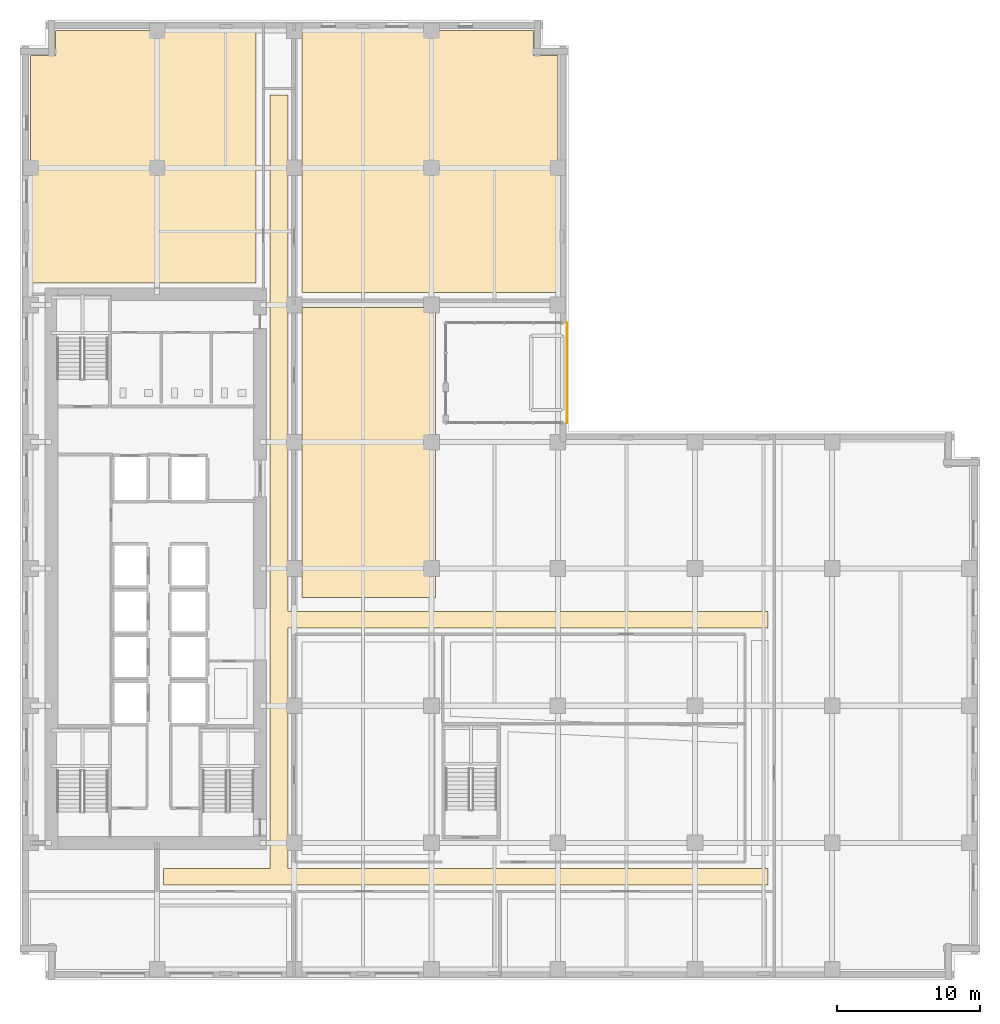
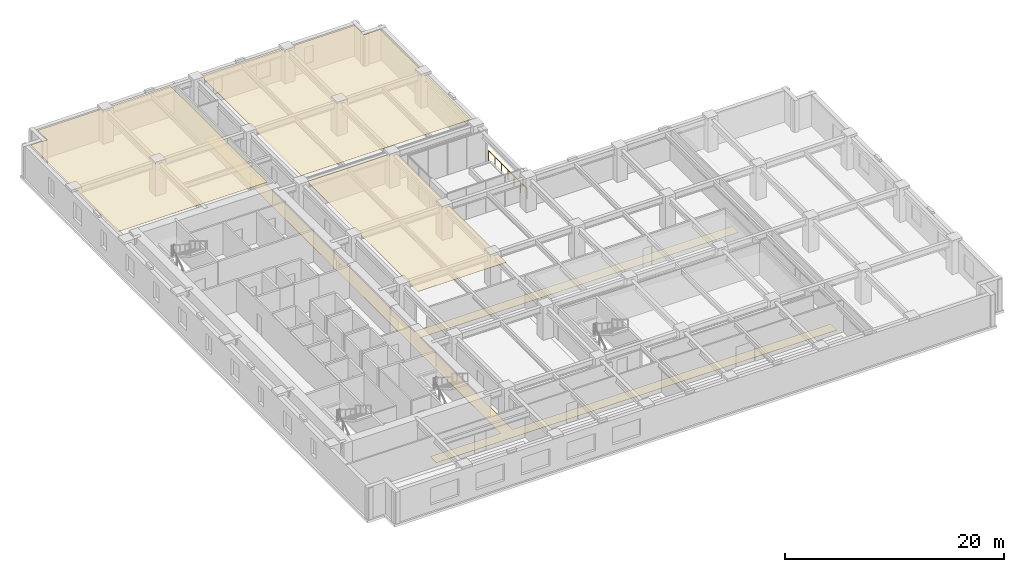
# One storey, part 15 of 16: 4 coverings, 1 railing.
"""IFC4 building model written with IfcOpenShell, lengths in metres."""

from ifc_helpers import new_model, si_unit, direction, frame, origin, origin_2d, place, context, subcontext, project, spatial, polyline, circle, outline, extrude, material, layer, layer_set, type_object, element, save


model = new_model("IFC4")

# Units and contexts
model_context = context("Model", 3, precision=1e-05, world=origin(), true_north=direction((0.0, 1.0)))
body_context = subcontext(model_context, "Body", "Model", "MODEL_VIEW")
ifc_project = project(units=[si_unit("LENGTHUNIT", "METRE"), si_unit("AREAUNIT", "SQUARE_METRE"), si_unit("VOLUMEUNIT", "CUBIC_METRE"), si_unit("PLANEANGLEUNIT", "RADIAN"), si_unit("MASSUNIT", "GRAM", prefix="KILO")], contexts=[model_context])

# Site, building, storey
site_placement = place(None, origin())
site = spatial("IfcSite", under=ifc_project, at=site_placement, CompositionType="ELEMENT")
building_placement = place(site_placement, origin())
building = spatial("IfcBuilding", under=site, at=building_placement, Name="Norrvale University Quadrangle", CompositionType="ELEMENT")
storey_placement = place(building_placement, frame((0.0, 0.0, 58.39990234375)))
storey = spatial("IfcBuildingStorey", under=building, at=storey_placement, Name="L14", CompositionType="ELEMENT", Elevation=58.39990234375)

# Coverings
ifc_material_1 = material(Name="Perforated Acoustic Mineral Ceiling")
ifc_layer_1 = layer(ifc_material_1, 0.02490234375, Name="Perforated Acoustic Mineral Ceiling")
ifc_layer_set_1 = layer_set([ifc_layer_1], Name="Perforated Acoustic Mineral Ceiling")
covering_type_1 = type_object("IfcCoveringType", Name="Covering Acoustic Ceiling 25", PredefinedType="CEILING", material=ifc_layer_set_1)
covering_1_placement = place(storey_placement, frame((0.0, 0.0, 3.51513671875)))
element("IfcCovering", 1, at=covering_1_placement, inside=storey, type_object=covering_type_1, Name="Acoustic Ceiling RM-L14-MNE01", PredefinedType="CEILING", context=body_context, shape_type="SweptSolid", body=[
    extrude(outline(polyline([(19.72998046875, 47.070068359375), (29.090087890625, 47.070068359375), (29.090087890625, 26.780029296875), (19.72998046875, 26.780029296875), (19.72998046875, 47.070068359375)])), origin(), (0.0, 0.0, 1.0), 0.02490234375),
])
covering_2_placement = place(storey_placement, frame((0.0, 0.0, 3.51513671875)))
element("IfcCovering", 2, at=covering_2_placement, inside=storey, type_object=covering_type_1, Name="Acoustic Ceiling RM-L14-NE01", PredefinedType="CEILING", context=body_context, shape_type="SweptSolid", body=[
    extrude(outline(polyline([(37.64990234375, 48.1298828125), (19.72998046875, 48.1298828125), (19.72998046875, 66.449951171875), (35.929931640625, 66.449951171875), (35.929931640625, 64.72998046875), (37.64990234375, 64.72998046875), (37.64990234375, 48.1298828125)])), origin(), (0.0, 0.0, 1.0), 0.02490234375),
])
covering_3_placement = place(storey_placement, frame((0.0, 0.0, 3.51513671875)))
element("IfcCovering", 3, at=covering_3_placement, inside=storey, type_object=covering_type_1, Name="Acoustic Ceiling RM-L14-NW01", PredefinedType="CEILING", context=body_context, shape_type="SweptSolid", body=[
    extrude(outline(polyline([(16.52001953125, 66.449951171875), (16.52001953125, 48.780029296875), (0.75, 48.780029296875), (0.75, 64.72998046875), (2.469970703125, 64.72998046875), (2.469970703125, 66.449951171875), (16.52001953125, 66.449951171875)])), origin(), (0.0, 0.0, 1.0), 0.02490234375),
])
ifc_material_2 = material(Name="Polished Terrazzo Flooring")
ifc_layer_2 = layer(ifc_material_2, 0.02490234375, Name="Polished Terrazzo Flooring")
ifc_layer_set_2 = layer_set([ifc_layer_2], Name="Polished Terrazzo Flooring")
covering_type_2 = type_object("IfcCoveringType", Name="Covering Terrazzo Floor 30", PredefinedType="FLOORING", material=ifc_layer_set_2)
covering_4_placement = place(storey_placement, origin())
element("IfcCovering", 4, at=covering_4_placement, inside=storey, type_object=covering_type_2, Name="Terrazzo Flooring RM-L14-CORR1", PredefinedType="FLOORING", context=body_context, shape_type="SweptSolid", body=[
    extrude(outline(polyline([(10.050048828125, 6.64990234375), (10.050048828125, 7.800048828125), (17.5, 7.800048828125), (17.5, 61.949951171875), (18.75, 61.949951171875), (18.75, 25.800048828125), (52.35009765625, 25.800048828125), (52.35009765625, 24.64990234375), (18.75, 24.64990234375), (18.75, 7.800048828125), (52.35009765625, 7.800048828125), (52.35009765625, 6.64990234375), (10.050048828125, 6.64990234375)])), origin(), (0.0, 0.0, 1.0), 0.025146484375),
])

# Railing
ifc_material_3 = material(Name="Stainless Steel 316L Balustrade", Category="steel")
railing_type = type_object("IfcRailingType", Name="Railing Terrace Guard 1150", PredefinedType="BALUSTRADE", material=ifc_material_3)
railing_placement = place(storey_placement, frame((38.300048828125, 39.0, 0.0)))
element("IfcRailing", 5, at=railing_placement, inside=storey, type_object=railing_type, Name="Sky Garden Facade Balustrade L14", PredefinedType="BALUSTRADE", context=body_context, shape_type="SweptSolid", body=[
    extrude(circle(Radius=0.02392578125, at=origin_2d()), frame((0.0, 0.0, 1.1259765625), z_axis=(0.0, 1.0, 0.0), x_axis=(-1.0, 0.0, 0.0)), (0.0, 0.0, 1.0), 7.0),
    extrude(circle(Radius=0.02099609375, at=origin_2d()), origin(), (0.0, 0.0, 1.0), 1.101806640625),
    extrude(circle(Radius=0.02099609375, at=origin_2d()), frame((0.0, 1.166748046875, 0.0)), (0.0, 0.0, 1.0), 1.101806640625),
    extrude(circle(Radius=0.02099609375, at=origin_2d()), frame((0.0, 2.333251953125, 0.0)), (0.0, 0.0, 1.0), 1.101806640625),
    extrude(circle(Radius=0.02099609375, at=origin_2d()), frame((0.0, 3.5, 0.0)), (0.0, 0.0, 1.0), 1.101806640625),
    extrude(circle(Radius=0.02099609375, at=origin_2d()), frame((0.0, 4.666748046875, 0.0)), (0.0, 0.0, 1.0), 1.101806640625),
    extrude(circle(Radius=0.02099609375, at=origin_2d()), frame((0.0, 5.833251953125, 0.0)), (0.0, 0.0, 1.0), 1.101806640625),
    extrude(circle(Radius=0.02099609375, at=origin_2d()), frame((0.0, 7.0, 0.0)), (0.0, 0.0, 1.0), 1.101806640625),
])

save(model, "model.ifc")
